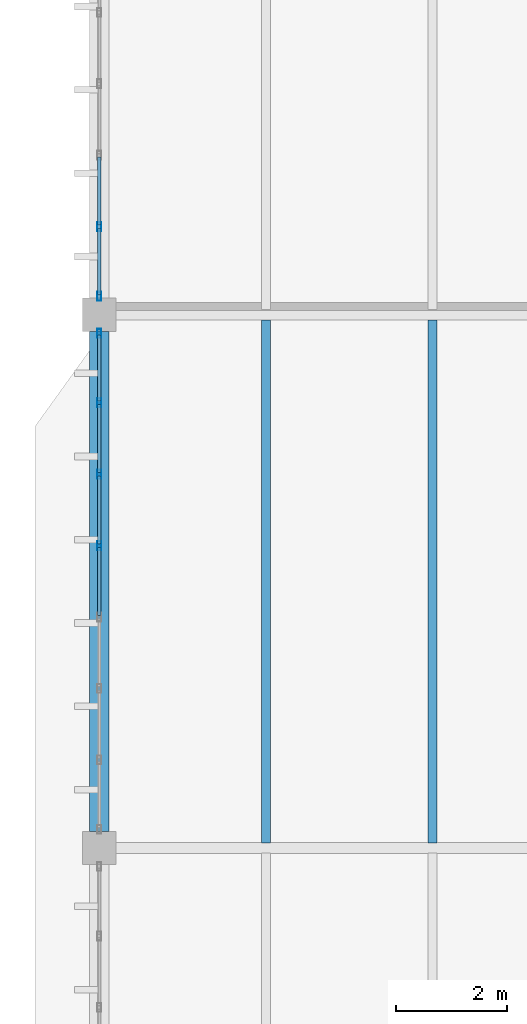
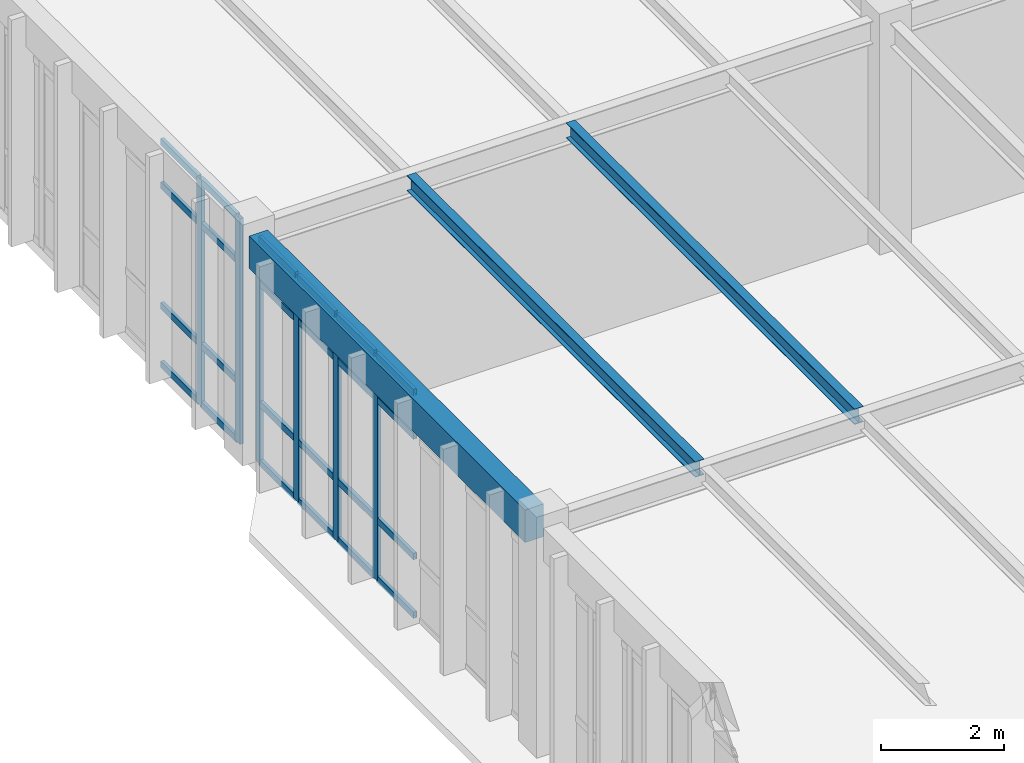
# One storey, part 158 of 236: 30 members, 3 beams, 2 elements without a shape of their own.
"""IFC4 building model written with IfcOpenShell, lengths in metres."""

import ifcopenshell
import ifcopenshell.guid

model = None  # the IFC model being written
_history = None  # IfcOwnerHistory: only IFC2X3 demands one
_inside = {}  # id of a spatial element -> (the spatial element, [elements in it])
_under = {}  # id of a project, library or spatial element -> (it, [spatial elements below it])
_declared = {}  # id of a project -> (the project, [libraries it declares])
_typed = {}  # id of a type object -> (the type object, [elements of that type])
_made_of = {}  # id of a material, layer set ... -> (it, [elements and type objects made of it])


def new_model(schema):
    """Start an empty IFC model of exactly this schema.

    Asked for "IFC4X3", IfcOpenShell would pick the latest addendum, in which some entities
    have other attributes; the version numbers below select the first issue.
    IFC2X3 requires an IfcOwnerHistory on every rooted entity: one is made here for all.
    """
    global model, _history
    if schema == "IFC4X3":
        model = ifcopenshell.file(schema_version=(4, 3, 0, 0))
    else:
        model = ifcopenshell.file(schema=schema)
    _inside.clear()
    _under.clear()
    _declared.clear()
    _typed.clear()
    _made_of.clear()
    _history = None
    if model.schema == "IFC2X3":
        org = make("IfcOrganization", Name="unknown")
        user = make(
            "IfcPersonAndOrganization",
            ThePerson=make("IfcPerson", FamilyName="unknown"),
            TheOrganization=org,
        )
        app = make(
            "IfcApplication",
            ApplicationDeveloper=org,
            Version="unknown",
            ApplicationFullName="unknown",
            ApplicationIdentifier="unknown",
        )
        _history = make(
            "IfcOwnerHistory",
            OwningUser=user,
            OwningApplication=app,
            ChangeAction="ADDED",
            CreationDate=0,
        )
    return model


def make(cls, **values):
    """One entity of the class cls with the attributes given. An attribute that is None is left unset."""
    return model.create_entity(
        cls, **{name: value for name, value in values.items() if value is not None}
    )


def rooted(cls, **values):
    """An entity with a GlobalId (a new one), such as an element, a storey or a relation."""
    return make(cls, GlobalId=ifcopenshell.guid.new(), OwnerHistory=_history, **values)


def si_unit(unit_type, name, prefix=None):
    """IfcSIUnit, for example si_unit("LENGTHUNIT", "METRE", prefix="MILLI")."""
    return make("IfcSIUnit", UnitType=unit_type, Prefix=prefix, Name=name)


def assignment(units):
    """IfcUnitAssignment: the units of a project."""
    return None if units is None else make("IfcUnitAssignment", Units=units)


def point(xyz):
    """IfcCartesianPoint."""
    return None if xyz is None else make("IfcCartesianPoint", Coordinates=xyz)


def direction(xyz):
    """IfcDirection."""
    return None if xyz is None else make("IfcDirection", DirectionRatios=xyz)


def frame(location, z_axis=None, x_axis=None):
    """IfcAxis2Placement3D, a coordinate frame: its origin and axes. An axis left out is left unset."""
    return make(
        "IfcAxis2Placement3D",
        Location=point(location),
        Axis=direction(z_axis),
        RefDirection=direction(x_axis),
    )


def frame_2d(location, x_axis=None):
    """IfcAxis2Placement2D, a coordinate frame in the plane: its origin and x axis."""
    return make(
        "IfcAxis2Placement2D", Location=point(location), RefDirection=direction(x_axis)
    )


def origin():
    """The frame at (0, 0, 0) with its axes left unset."""
    return frame((0.0, 0.0, 0.0))


def origin_2d():
    """The frame at (0, 0) in the plane with its x axis left unset."""
    return frame_2d((0.0, 0.0))


def place(relative_to, where):
    """IfcLocalPlacement: puts the frame where relative to a parent placement (None: the world)."""
    return make(
        "IfcLocalPlacement", PlacementRelTo=relative_to, RelativePlacement=where
    )


def context(
    kind, dimensions, precision=None, world=None, true_north=None, identifier=None
):
    """IfcGeometricRepresentationContext, for example the 3D "Model" context."""
    return make(
        "IfcGeometricRepresentationContext",
        ContextIdentifier=identifier,
        ContextType=kind,
        CoordinateSpaceDimension=dimensions,
        Precision=precision,
        WorldCoordinateSystem=world,
        TrueNorth=true_north,
    )


def subcontext(parent, identifier, kind, view, scale=None):
    """IfcGeometricRepresentationSubContext, for example "Body" below "Model"."""
    return make(
        "IfcGeometricRepresentationSubContext",
        ContextIdentifier=identifier,
        ContextType=kind,
        ParentContext=parent,
        TargetScale=scale,
        TargetView=view,
    )


def project(units=None, contexts=None):
    """IfcProject with its units and contexts."""
    return rooted(
        "IfcProject",
        Name="project",
        RepresentationContexts=contexts,
        UnitsInContext=assignment(units),
    )


def spatial(cls, under=None, at=None, **own):
    """A site, building, storey or space (cls), placed at a placement, below another one or the project."""
    s = rooted(cls, ObjectPlacement=at, **own)
    if under is not None:
        _under.setdefault(under.id(), (under, []))[1].append(s)
    return s


def profile(cls, at=None, kind="AREA", **sizes):
    """A parametric profile (cls). Its sizes go by their IFC names, for example OverallWidth=200.0."""
    return make(cls, ProfileType=kind, Position=at, **sizes)


def rectangle(**sizes):
    """IfcRectangleProfileDef."""
    return profile("IfcRectangleProfileDef", **sizes)


def hollow_rectangle(**sizes):
    """IfcRectangleHollowProfileDef."""
    return profile("IfcRectangleHollowProfileDef", **sizes)


def i_section(**sizes):
    """IfcIShapeProfileDef."""
    return profile("IfcIShapeProfileDef", **sizes)


def extrude(swept, where, along, depth):
    """IfcExtrudedAreaSolid: the profile swept, set in the frame where, extruded along a direction by depth."""
    return make(
        "IfcExtrudedAreaSolid",
        SweptArea=swept,
        Position=where,
        ExtrudedDirection=direction(along),
        Depth=depth,
    )


def shape(context_of_items, identifier, shape_type, items):
    """IfcShapeRepresentation: the items that make up one representation, for example the "Body"."""
    return make(
        "IfcShapeRepresentation",
        ContextOfItems=context_of_items,
        RepresentationIdentifier=identifier,
        RepresentationType=shape_type,
        Items=items,
    )


def material(Name=None, Category=None):
    """IfcMaterial."""
    return make("IfcMaterial", Name=Name, Category=Category)


def layer(
    of_material, thickness, ventilated=None, Name=None, Category=None, Priority=None
):
    """IfcMaterialLayer: one layer of a wall or slab, of a material (None: an air gap)."""
    return make(
        "IfcMaterialLayer",
        Material=of_material,
        LayerThickness=thickness,
        IsVentilated=ventilated,
        Name=Name,
        Category=Category,
        Priority=Priority,
    )


def layer_set(layers, Name=None):
    """IfcMaterialLayerSet."""
    return make("IfcMaterialLayerSet", MaterialLayers=layers, LayerSetName=Name)


def material_profile(
    of_material, cross_section, Name=None, Category=None, Priority=None
):
    """IfcMaterialProfile: a cross section and its material."""
    return make(
        "IfcMaterialProfile",
        Name=Name,
        Material=of_material,
        Profile=cross_section,
        Priority=Priority,
        Category=Category,
    )


def profile_set(profiles, Name=None, composite=None):
    """IfcMaterialProfileSet."""
    return make(
        "IfcMaterialProfileSet",
        Name=Name,
        MaterialProfiles=profiles,
        CompositeProfile=composite,
    )


def made_of(thing, what):
    """Note that an element or type object is made of a material, layer set ...; save() writes the relation."""
    if what is not None:
        _made_of.setdefault(what.id(), (what, []))[1].append(thing)
    return thing


def type_object(cls, material=None, **own):
    """A type object (cls), such as IfcWallType, which elements share."""
    return made_of(rooted(cls, **own), material)


def element(
    cls,
    number,
    at=None,
    inside=None,
    cuts=None,
    type_object=None,
    material=None,
    context=None,
    identifier="Body",
    shape_type=None,
    held_by="IfcProductDefinitionShape",
    body=None,
    shapes=None,
    **own,
):
    """One element of the class cls, such as IfcWall. Its Tag is "e" and its number.

    at: its placement. inside: the storey or other place that contains it. cuts: it is an
    opening in that element (IfcRelVoidsElement). A single representation is given by context,
    identifier, shape_type and body (its items); several are given by shapes. held_by: the class
    of the entity that holds the representations. save() writes the other relations.
    """
    e = rooted(cls, Tag="e%d" % number, ObjectPlacement=at, **own)
    if body is not None:
        shapes = [shape(context, identifier, shape_type, body)]
    if shapes is not None:
        e.Representation = make(held_by, Representations=shapes)
    if inside is not None:
        _inside.setdefault(inside.id(), (inside, []))[1].append(e)
    if cuts is not None:
        rooted(
            "IfcRelVoidsElement", RelatingBuildingElement=cuts, RelatedOpeningElement=e
        )
    if type_object is not None:
        _typed.setdefault(type_object.id(), (type_object, []))[1].append(e)
    return made_of(e, material)


def aggregate(whole, parts):
    """IfcRelAggregates: a whole, such as a stair, and the parts it consists of."""
    return rooted("IfcRelAggregates", RelatingObject=whole, RelatedObjects=parts)


def save(model, path):
    """Write the relations noted so far, then the file.

    IfcRelAggregates (storeys below a building ...), IfcRelContainedInSpatialStructure (elements
    in a storey), IfcRelDefinesByType, IfcRelAssociatesMaterial and IfcRelDeclares: one each for
    every whole, place, type object, material and project.
    """
    for whole, parts in _under.values():
        aggregate(whole, parts)
    for where, things in _inside.values():
        rooted(
            "IfcRelContainedInSpatialStructure",
            RelatedElements=things,
            RelatingStructure=where,
        )
    for kind, things in _typed.values():
        rooted("IfcRelDefinesByType", RelatedObjects=things, RelatingType=kind)
    for what, things in _made_of.values():
        rooted("IfcRelAssociatesMaterial", RelatedObjects=things, RelatingMaterial=what)
    for by, libraries in _declared.values():
        rooted("IfcRelDeclares", RelatingContext=by, RelatedDefinitions=libraries)
    model.write(path)


model = new_model("IFC4")

# Units and contexts
model_context = context("Model", 3, precision=1e-05, world=origin(), true_north=direction((0.0, 1.0)))
body_context = subcontext(model_context, "Body", "Model", "MODEL_VIEW")
ifc_project = project(units=[si_unit("LENGTHUNIT", "METRE"), si_unit("AREAUNIT", "SQUARE_METRE"), si_unit("VOLUMEUNIT", "CUBIC_METRE"), si_unit("PLANEANGLEUNIT", "RADIAN"), si_unit("MASSUNIT", "GRAM", prefix="KILO")], contexts=[model_context])

# Site, building, storey
site_placement = place(None, origin())
site = spatial("IfcSite", under=ifc_project, at=site_placement, CompositionType="ELEMENT")
building_placement = place(site_placement, origin())
building = spatial("IfcBuilding", under=site, at=building_placement, Name="Pandanus Reach Market Hall", CompositionType="ELEMENT")
storey_placement = place(building_placement, frame((0.0, 0.0, 5.39990234375)))
storey = spatial("IfcBuildingStorey", under=building, at=storey_placement, Name="L01", CompositionType="ELEMENT", Elevation=5.39990234375)

# Beam
ifc_material_1 = material(Name="Concrete N40 (40 MPa)", Category="concrete")
ifc_material_profile_1 = material_profile(ifc_material_1, rectangle(XDim=0.35009765625, YDim=0.64990234375, at=origin_2d()), Name="RC350x650", Category="LoadBearing")
ifc_profile_set_1 = profile_set([ifc_material_profile_1], Name="Concrete N40 (40 MPa)")
beam_type_1 = type_object("IfcBeamType", Name="BM-RC350-E", PredefinedType="SPANDREL", material=ifc_profile_set_1)
beam_placement = place(storey_placement, frame((144.0, 67.498046875, 4.215087890625), z_axis=(0.0, 1.0, 0.0), x_axis=(-1.0, 0.0, 0.0)))
element("IfcBeam", 1, at=beam_placement, inside=storey, type_object=beam_type_1, Name="Framing beam BM-RC350-E L01.342", PredefinedType="SPANDREL", context=body_context, shape_type="SweptSolid", body=[
    extrude(rectangle(XDim=0.35009765625, YDim=0.64990234375, at=origin_2d()), origin(), (0.0, 0.0, 1.0), 9.00390625),
])

# Curtain wall, members
ifc_material_2 = material(Name="Bronze anodised aluminium and low-E glass", Category="aluminium")
ifc_layer = layer(ifc_material_2, 0.159912109375, Name="CW-29")
ifc_layer_set = layer_set([ifc_layer], Name="Bronze anodised aluminium and low-E glass")
curtain_wall_type = type_object("IfcCurtainWallType", Name="CW-29", PredefinedType="NOTDEFINED", material=ifc_layer_set)
curtain_wall_1_placement = place(storey_placement, origin())
curtain_wall_1 = element("IfcCurtainWall", 2, at=curtain_wall_1_placement, inside=storey, type_object=curtain_wall_type, Name="Glazed curtain wall CW-29 CW-0097", PredefinedType="NOTDEFINED")
ifc_material_3 = material(Name="Bronze anodised aluminium", Category="aluminium")
ifc_material_profile_2 = material_profile(ifc_material_3, hollow_rectangle(XDim=0.06494140625, YDim=0.159912109375, WallThickness=0.00390625, at=origin_2d()), Name="ALU65x160", Category="LoadBearing")
ifc_profile_set_2 = profile_set([ifc_material_profile_2], Name="Bronze anodised aluminium")
member_type_1 = type_object("IfcMemberType", Name="CW-M1", PredefinedType="MULLION", material=ifc_profile_set_2)
member_1_placement = place(storey_placement, frame((144.0, 72.642822265625, 0.0), z_axis=(0.0, 0.0, 1.0), x_axis=(-1.0, 0.0, 0.0)))
member_1 = element("IfcMember", 3, at=member_1_placement, type_object=member_type_1, Name="CW-29 mullion 5", PredefinedType="MULLION", context=body_context, shape_type="SweptSolid", body=[
    extrude(hollow_rectangle(XDim=0.06494140625, YDim=0.159912109375, WallThickness=0.00390625, at=origin_2d()), origin(), (0.0, 0.0, 1.0), 4.5),
])
member_2_placement = place(storey_placement, frame((144.0, 73.928466796875, 0.0), z_axis=(0.0, 0.0, 1.0), x_axis=(-1.0, 0.0, 0.0)))
member_2 = element("IfcMember", 4, at=member_2_placement, type_object=member_type_1, Name="CW-29 mullion 6", PredefinedType="MULLION", context=body_context, shape_type="SweptSolid", body=[
    extrude(hollow_rectangle(XDim=0.06494140625, YDim=0.159912109375, WallThickness=0.00390625, at=origin_2d()), origin(), (0.0, 0.0, 1.0), 4.5),
])
member_3_placement = place(storey_placement, frame((144.0, 75.21435546875, 0.0), z_axis=(0.0, 0.0, 1.0), x_axis=(-1.0, 0.0, 0.0)))
member_3 = element("IfcMember", 5, at=member_3_placement, type_object=member_type_1, Name="CW-29 mullion 7", PredefinedType="MULLION", context=body_context, shape_type="SweptSolid", body=[
    extrude(hollow_rectangle(XDim=0.06494140625, YDim=0.159912109375, WallThickness=0.00390625, at=origin_2d()), origin(), (0.0, 0.0, 1.0), 4.5),
])
member_4_placement = place(storey_placement, frame((144.0, 76.467529296875, 0.0), z_axis=(0.0, 0.0, 1.0), x_axis=(-1.0, 0.0, 0.0)))
member_4 = element("IfcMember", 6, at=member_4_placement, type_object=member_type_1, Name="CW-29 mullion 8", PredefinedType="MULLION", context=body_context, shape_type="SweptSolid", body=[
    extrude(hollow_rectangle(XDim=0.06494140625, YDim=0.159912109375, WallThickness=0.00390625, at=origin_2d()), origin(), (0.0, 0.0, 1.0), 4.5),
])

curtain_wall_2_placement = place(storey_placement, origin())
curtain_wall_2 = element("IfcCurtainWall", 7, at=curtain_wall_2_placement, inside=storey, type_object=curtain_wall_type, Name="Glazed curtain wall CW-29 CW-0098", PredefinedType="NOTDEFINED")
member_5_placement = place(storey_placement, frame((144.0, 77.132568359375, 0.0), z_axis=(0.0, 0.0, 1.0), x_axis=(-1.0, 0.0, 0.0)))
member_5 = element("IfcMember", 8, at=member_5_placement, type_object=member_type_1, Name="CW-29 mullion 1", PredefinedType="MULLION", context=body_context, shape_type="SweptSolid", body=[
    extrude(hollow_rectangle(XDim=0.06494140625, YDim=0.159912109375, WallThickness=0.00390625, at=origin_2d()), origin(), (0.0, 0.0, 1.0), 4.5),
])
member_6_placement = place(storey_placement, frame((144.0, 78.3857421875, 0.0), z_axis=(0.0, 0.0, 1.0), x_axis=(-1.0, 0.0, 0.0)))
member_6 = element("IfcMember", 9, at=member_6_placement, type_object=member_type_1, Name="CW-29 mullion 2", PredefinedType="MULLION", context=body_context, shape_type="SweptSolid", body=[
    extrude(hollow_rectangle(XDim=0.06494140625, YDim=0.159912109375, WallThickness=0.00390625, at=origin_2d()), origin(), (0.0, 0.0, 1.0), 4.5),
])

# Member
ifc_material_profile_3 = material_profile(ifc_material_3, hollow_rectangle(XDim=0.06494140625, YDim=0.1298828125, WallThickness=0.00390625, at=origin_2d()), Name="ALU65x130", Category="LoadBearing")
ifc_profile_set_3 = profile_set([ifc_material_profile_3], Name="Bronze anodised aluminium")
member_type_2 = type_object("IfcMemberType", Name="CW-T1", PredefinedType="USERDEFINED", material=ifc_profile_set_3)
member_7_placement = place(storey_placement, frame((144.0, 71.3896484375, 0.03271484375), z_axis=(0.0, 1.0, 0.0), x_axis=(-1.0, 0.0, 0.0)))
member_7 = element("IfcMember", 10, at=member_7_placement, type_object=member_type_2, Name="CW-29 transom 4.1", ObjectType="TRANSOM", PredefinedType="USERDEFINED", context=body_context, shape_type="SweptSolid", body=[
    extrude(hollow_rectangle(XDim=0.06494140625, YDim=0.1298828125, WallThickness=0.00390625, at=origin_2d()), origin(), (0.0, 0.0, 1.0), 1.220703125),
])

member_8_placement = place(storey_placement, frame((144.0, 71.3896484375, 1.2001953125), z_axis=(0.0, 1.0, 0.0), x_axis=(-1.0, 0.0, 0.0)))
member_8 = element("IfcMember", 11, at=member_8_placement, type_object=member_type_2, Name="CW-29 transom 4.2", ObjectType="TRANSOM", PredefinedType="USERDEFINED", context=body_context, shape_type="SweptSolid", body=[
    extrude(hollow_rectangle(XDim=0.06494140625, YDim=0.1298828125, WallThickness=0.00390625, at=origin_2d()), origin(), (0.0, 0.0, 1.0), 1.220703125),
])

member_9_placement = place(storey_placement, frame((144.0, 71.3896484375, 3.60009765625), z_axis=(0.0, 1.0, 0.0), x_axis=(-1.0, 0.0, 0.0)))
member_9 = element("IfcMember", 12, at=member_9_placement, type_object=member_type_2, Name="CW-29 transom 4.3", ObjectType="TRANSOM", PredefinedType="USERDEFINED", context=body_context, shape_type="SweptSolid", body=[
    extrude(hollow_rectangle(XDim=0.06494140625, YDim=0.1298828125, WallThickness=0.00390625, at=origin_2d()), origin(), (0.0, 0.0, 1.0), 1.220703125),
])

member_10_placement = place(storey_placement, frame((144.0, 71.3896484375, 4.467529296875), z_axis=(0.0, 1.0, 0.0), x_axis=(-1.0, 0.0, 0.0)))
member_10 = element("IfcMember", 13, at=member_10_placement, type_object=member_type_2, Name="CW-29 transom 4.4", ObjectType="TRANSOM", PredefinedType="USERDEFINED", context=body_context, shape_type="SweptSolid", body=[
    extrude(hollow_rectangle(XDim=0.06494140625, YDim=0.1298828125, WallThickness=0.00390625, at=origin_2d()), origin(), (0.0, 0.0, 1.0), 1.220703125),
])

member_11_placement = place(storey_placement, frame((144.0, 72.67529296875, 0.03271484375), z_axis=(0.0, 1.0, 0.0), x_axis=(-1.0, 0.0, 0.0)))
member_11 = element("IfcMember", 14, at=member_11_placement, type_object=member_type_2, Name="CW-29 transom 5.1", ObjectType="TRANSOM", PredefinedType="USERDEFINED", context=body_context, shape_type="SweptSolid", body=[
    extrude(hollow_rectangle(XDim=0.06494140625, YDim=0.1298828125, WallThickness=0.00390625, at=origin_2d()), origin(), (0.0, 0.0, 1.0), 1.220703125),
])

member_12_placement = place(storey_placement, frame((144.0, 72.67529296875, 1.2001953125), z_axis=(0.0, 1.0, 0.0), x_axis=(-1.0, 0.0, 0.0)))
member_12 = element("IfcMember", 15, at=member_12_placement, type_object=member_type_2, Name="CW-29 transom 5.2", ObjectType="TRANSOM", PredefinedType="USERDEFINED", context=body_context, shape_type="SweptSolid", body=[
    extrude(hollow_rectangle(XDim=0.06494140625, YDim=0.1298828125, WallThickness=0.00390625, at=origin_2d()), origin(), (0.0, 0.0, 1.0), 1.220703125),
])

member_13_placement = place(storey_placement, frame((144.0, 72.67529296875, 3.60009765625), z_axis=(0.0, 1.0, 0.0), x_axis=(-1.0, 0.0, 0.0)))
member_13 = element("IfcMember", 16, at=member_13_placement, type_object=member_type_2, Name="CW-29 transom 5.3", ObjectType="TRANSOM", PredefinedType="USERDEFINED", context=body_context, shape_type="SweptSolid", body=[
    extrude(hollow_rectangle(XDim=0.06494140625, YDim=0.1298828125, WallThickness=0.00390625, at=origin_2d()), origin(), (0.0, 0.0, 1.0), 1.220703125),
])

member_14_placement = place(storey_placement, frame((144.0, 72.67529296875, 4.467529296875), z_axis=(0.0, 1.0, 0.0), x_axis=(-1.0, 0.0, 0.0)))
member_14 = element("IfcMember", 17, at=member_14_placement, type_object=member_type_2, Name="CW-29 transom 5.4", ObjectType="TRANSOM", PredefinedType="USERDEFINED", context=body_context, shape_type="SweptSolid", body=[
    extrude(hollow_rectangle(XDim=0.06494140625, YDim=0.1298828125, WallThickness=0.00390625, at=origin_2d()), origin(), (0.0, 0.0, 1.0), 1.220703125),
])

member_15_placement = place(storey_placement, frame((144.0, 73.961181640625, 0.03271484375), z_axis=(0.0, 1.0, 0.0), x_axis=(-1.0, 0.0, 0.0)))
member_15 = element("IfcMember", 18, at=member_15_placement, type_object=member_type_2, Name="CW-29 transom 6.1", ObjectType="TRANSOM", PredefinedType="USERDEFINED", context=body_context, shape_type="SweptSolid", body=[
    extrude(hollow_rectangle(XDim=0.06494140625, YDim=0.1298828125, WallThickness=0.00390625, at=origin_2d()), origin(), (0.0, 0.0, 1.0), 1.220703125),
])

member_16_placement = place(storey_placement, frame((144.0, 73.961181640625, 1.2001953125), z_axis=(0.0, 1.0, 0.0), x_axis=(-1.0, 0.0, 0.0)))
member_16 = element("IfcMember", 19, at=member_16_placement, type_object=member_type_2, Name="CW-29 transom 6.2", ObjectType="TRANSOM", PredefinedType="USERDEFINED", context=body_context, shape_type="SweptSolid", body=[
    extrude(hollow_rectangle(XDim=0.06494140625, YDim=0.1298828125, WallThickness=0.00390625, at=origin_2d()), origin(), (0.0, 0.0, 1.0), 1.220703125),
])

member_17_placement = place(storey_placement, frame((144.0, 73.961181640625, 3.60009765625), z_axis=(0.0, 1.0, 0.0), x_axis=(-1.0, 0.0, 0.0)))
member_17 = element("IfcMember", 20, at=member_17_placement, type_object=member_type_2, Name="CW-29 transom 6.3", ObjectType="TRANSOM", PredefinedType="USERDEFINED", context=body_context, shape_type="SweptSolid", body=[
    extrude(hollow_rectangle(XDim=0.06494140625, YDim=0.1298828125, WallThickness=0.00390625, at=origin_2d()), origin(), (0.0, 0.0, 1.0), 1.220703125),
])

member_18_placement = place(storey_placement, frame((144.0, 73.961181640625, 4.467529296875), z_axis=(0.0, 1.0, 0.0), x_axis=(-1.0, 0.0, 0.0)))
member_18 = element("IfcMember", 21, at=member_18_placement, type_object=member_type_2, Name="CW-29 transom 6.4", ObjectType="TRANSOM", PredefinedType="USERDEFINED", context=body_context, shape_type="SweptSolid", body=[
    extrude(hollow_rectangle(XDim=0.06494140625, YDim=0.1298828125, WallThickness=0.00390625, at=origin_2d()), origin(), (0.0, 0.0, 1.0), 1.220703125),
])

member_19_placement = place(storey_placement, frame((144.0, 75.246826171875, 0.03271484375), z_axis=(0.0, 1.0, 0.0), x_axis=(-1.0, 0.0, 0.0)))
member_19 = element("IfcMember", 22, at=member_19_placement, type_object=member_type_2, Name="CW-29 transom 7.1", ObjectType="TRANSOM", PredefinedType="USERDEFINED", context=body_context, shape_type="SweptSolid", body=[
    extrude(hollow_rectangle(XDim=0.06494140625, YDim=0.1298828125, WallThickness=0.00390625, at=origin_2d()), origin(), (0.0, 0.0, 1.0), 1.188232421875),
])

member_20_placement = place(storey_placement, frame((144.0, 75.246826171875, 1.2001953125), z_axis=(0.0, 1.0, 0.0), x_axis=(-1.0, 0.0, 0.0)))
member_20 = element("IfcMember", 23, at=member_20_placement, type_object=member_type_2, Name="CW-29 transom 7.2", ObjectType="TRANSOM", PredefinedType="USERDEFINED", context=body_context, shape_type="SweptSolid", body=[
    extrude(hollow_rectangle(XDim=0.06494140625, YDim=0.1298828125, WallThickness=0.00390625, at=origin_2d()), origin(), (0.0, 0.0, 1.0), 1.188232421875),
])

member_21_placement = place(storey_placement, frame((144.0, 75.246826171875, 3.60009765625), z_axis=(0.0, 1.0, 0.0), x_axis=(-1.0, 0.0, 0.0)))
member_21 = element("IfcMember", 24, at=member_21_placement, type_object=member_type_2, Name="CW-29 transom 7.3", ObjectType="TRANSOM", PredefinedType="USERDEFINED", context=body_context, shape_type="SweptSolid", body=[
    extrude(hollow_rectangle(XDim=0.06494140625, YDim=0.1298828125, WallThickness=0.00390625, at=origin_2d()), origin(), (0.0, 0.0, 1.0), 1.188232421875),
])

member_22_placement = place(storey_placement, frame((144.0, 75.246826171875, 4.467529296875), z_axis=(0.0, 1.0, 0.0), x_axis=(-1.0, 0.0, 0.0)))
member_22 = element("IfcMember", 25, at=member_22_placement, type_object=member_type_2, Name="CW-29 transom 7.4", ObjectType="TRANSOM", PredefinedType="USERDEFINED", context=body_context, shape_type="SweptSolid", body=[
    extrude(hollow_rectangle(XDim=0.06494140625, YDim=0.1298828125, WallThickness=0.00390625, at=origin_2d()), origin(), (0.0, 0.0, 1.0), 1.188232421875),
])

aggregate(curtain_wall_1, [member_1, member_2, member_3, member_4, member_7, member_8, member_9, member_10, member_11, member_12, member_13, member_14, member_15, member_16, member_17, member_18, member_19, member_20, member_21, member_22])

member_23_placement = place(storey_placement, frame((144.0, 77.1650390625, 0.03271484375), z_axis=(0.0, 1.0, 0.0), x_axis=(-1.0, 0.0, 0.0)))
member_23 = element("IfcMember", 26, at=member_23_placement, type_object=member_type_2, Name="CW-29 transom 1.1", ObjectType="TRANSOM", PredefinedType="USERDEFINED", context=body_context, shape_type="SweptSolid", body=[
    extrude(hollow_rectangle(XDim=0.06494140625, YDim=0.1298828125, WallThickness=0.00390625, at=origin_2d()), origin(), (0.0, 0.0, 1.0), 1.188232421875),
])

member_24_placement = place(storey_placement, frame((144.0, 77.1650390625, 1.2001953125), z_axis=(0.0, 1.0, 0.0), x_axis=(-1.0, 0.0, 0.0)))
member_24 = element("IfcMember", 27, at=member_24_placement, type_object=member_type_2, Name="CW-29 transom 1.2", ObjectType="TRANSOM", PredefinedType="USERDEFINED", context=body_context, shape_type="SweptSolid", body=[
    extrude(hollow_rectangle(XDim=0.06494140625, YDim=0.1298828125, WallThickness=0.00390625, at=origin_2d()), origin(), (0.0, 0.0, 1.0), 1.188232421875),
])

member_25_placement = place(storey_placement, frame((144.0, 77.1650390625, 3.60009765625), z_axis=(0.0, 1.0, 0.0), x_axis=(-1.0, 0.0, 0.0)))
member_25 = element("IfcMember", 28, at=member_25_placement, type_object=member_type_2, Name="CW-29 transom 1.3", ObjectType="TRANSOM", PredefinedType="USERDEFINED", context=body_context, shape_type="SweptSolid", body=[
    extrude(hollow_rectangle(XDim=0.06494140625, YDim=0.1298828125, WallThickness=0.00390625, at=origin_2d()), origin(), (0.0, 0.0, 1.0), 1.188232421875),
])

member_26_placement = place(storey_placement, frame((144.0, 77.1650390625, 4.467529296875), z_axis=(0.0, 1.0, 0.0), x_axis=(-1.0, 0.0, 0.0)))
member_26 = element("IfcMember", 29, at=member_26_placement, type_object=member_type_2, Name="CW-29 transom 1.4", ObjectType="TRANSOM", PredefinedType="USERDEFINED", context=body_context, shape_type="SweptSolid", body=[
    extrude(hollow_rectangle(XDim=0.06494140625, YDim=0.1298828125, WallThickness=0.00390625, at=origin_2d()), origin(), (0.0, 0.0, 1.0), 1.188232421875),
])

member_27_placement = place(storey_placement, frame((144.0, 78.418212890625, 0.03271484375), z_axis=(0.0, 1.0, 0.0), x_axis=(-1.0, 0.0, 0.0)))
member_27 = element("IfcMember", 30, at=member_27_placement, type_object=member_type_2, Name="CW-29 transom 2.1", ObjectType="TRANSOM", PredefinedType="USERDEFINED", context=body_context, shape_type="SweptSolid", body=[
    extrude(hollow_rectangle(XDim=0.06494140625, YDim=0.1298828125, WallThickness=0.00390625, at=origin_2d()), origin(), (0.0, 0.0, 1.0), 1.220703125),
])

member_28_placement = place(storey_placement, frame((144.0, 78.418212890625, 1.2001953125), z_axis=(0.0, 1.0, 0.0), x_axis=(-1.0, 0.0, 0.0)))
member_28 = element("IfcMember", 31, at=member_28_placement, type_object=member_type_2, Name="CW-29 transom 2.2", ObjectType="TRANSOM", PredefinedType="USERDEFINED", context=body_context, shape_type="SweptSolid", body=[
    extrude(hollow_rectangle(XDim=0.06494140625, YDim=0.1298828125, WallThickness=0.00390625, at=origin_2d()), origin(), (0.0, 0.0, 1.0), 1.220703125),
])

member_29_placement = place(storey_placement, frame((144.0, 78.418212890625, 3.60009765625), z_axis=(0.0, 1.0, 0.0), x_axis=(-1.0, 0.0, 0.0)))
member_29 = element("IfcMember", 32, at=member_29_placement, type_object=member_type_2, Name="CW-29 transom 2.3", ObjectType="TRANSOM", PredefinedType="USERDEFINED", context=body_context, shape_type="SweptSolid", body=[
    extrude(hollow_rectangle(XDim=0.06494140625, YDim=0.1298828125, WallThickness=0.00390625, at=origin_2d()), origin(), (0.0, 0.0, 1.0), 1.220703125),
])

member_30_placement = place(storey_placement, frame((144.0, 78.418212890625, 4.467529296875), z_axis=(0.0, 1.0, 0.0), x_axis=(-1.0, 0.0, 0.0)))
member_30 = element("IfcMember", 33, at=member_30_placement, type_object=member_type_2, Name="CW-29 transom 2.4", ObjectType="TRANSOM", PredefinedType="USERDEFINED", context=body_context, shape_type="SweptSolid", body=[
    extrude(hollow_rectangle(XDim=0.06494140625, YDim=0.1298828125, WallThickness=0.00390625, at=origin_2d()), origin(), (0.0, 0.0, 1.0), 1.220703125),
])

aggregate(curtain_wall_2, [member_5, member_6, member_23, member_24, member_25, member_26, member_27, member_28, member_29, member_30])

# Beams
ifc_material_4 = material(Name="Steel Grade 350 (350 MPa)", Category="steel")
ifc_material_profile_4 = material_profile(ifc_material_4, i_section(OverallWidth=0.166015625, OverallDepth=0.306884765625, WebThickness=0.006591796875, FlangeThickness=0.01171875, at=origin_2d()), Name="310UB46.2", Category="LoadBearing")
ifc_profile_set_4 = profile_set([ifc_material_profile_4], Name="Steel Grade 350 (350 MPa)")
beam_type_2 = type_object("IfcBeamType", Name="JS-UB310H-I", PredefinedType="JOIST", material=ifc_profile_set_4)
for number, where, z_axis, x_axis, name in (
    (34, (147.0, 67.29296875, 4.38623046875), (0.0, 1.0, 0.0), (-1.0, 0.0, 0.0), "Secondary joist JS-UB310H-I L01.387"),
    (35, (150.0, 67.29296875, 4.38623046875), (0.0, 1.0, 0.0), (-1.0, 0.0, 0.0), "Secondary joist JS-UB310H-I L01.388"),
):
    element("IfcBeam", number, at=place(storey_placement, frame(where, z_axis=z_axis, x_axis=x_axis)), inside=storey, type_object=beam_type_2, Name=name, PredefinedType="JOIST", context=body_context, shape_type="SweptSolid", body=[
        extrude(i_section(OverallWidth=0.166015625, OverallDepth=0.306884765625, WebThickness=0.006591796875, FlangeThickness=0.01171875, at=origin_2d()), origin(), (0.0, 0.0, 1.0), 9.4140625),
    ])

save(model, "model.ifc")
